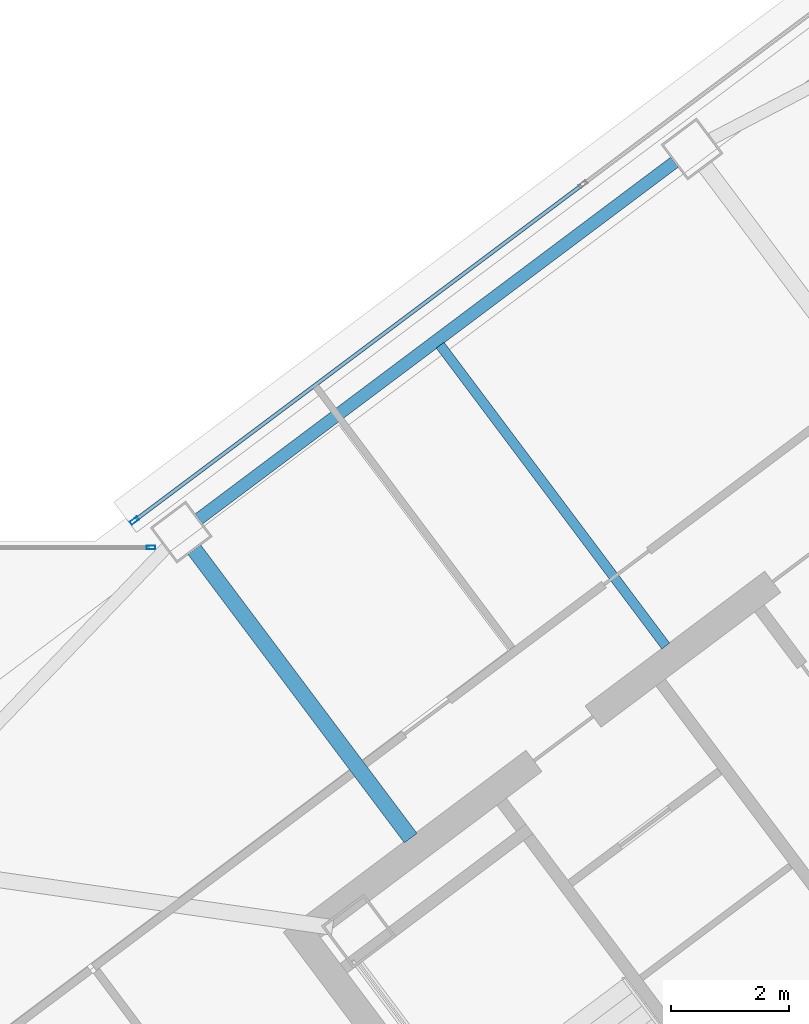
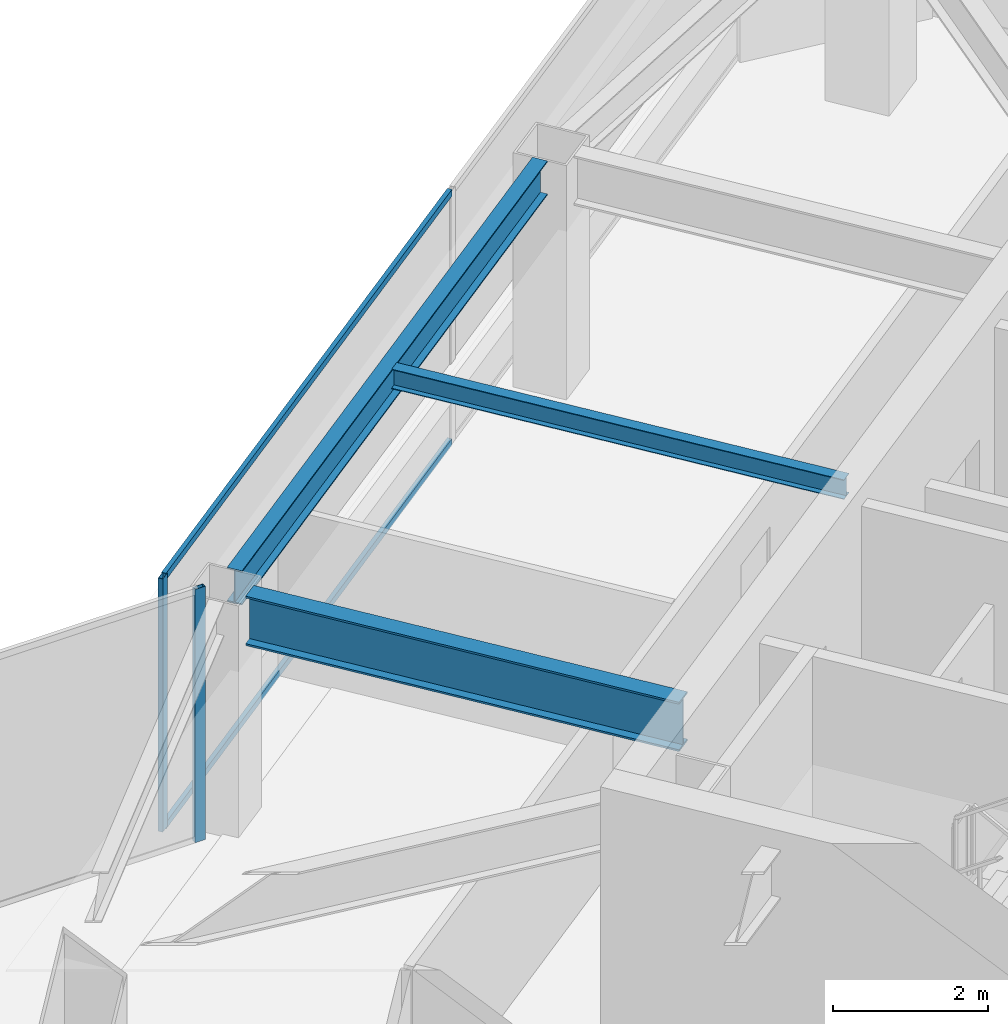
# One storey, part 33 of 51: 4 members, 3 beams, 2 elements without a shape of their own.
"""IFC4 building model written with IfcOpenShell, lengths in metres."""

import ifcopenshell
import ifcopenshell.guid

model = None  # the IFC model being written
_history = None  # IfcOwnerHistory: only IFC2X3 demands one
_inside = {}  # id of a spatial element -> (the spatial element, [elements in it])
_under = {}  # id of a project, library or spatial element -> (it, [spatial elements below it])
_declared = {}  # id of a project -> (the project, [libraries it declares])
_typed = {}  # id of a type object -> (the type object, [elements of that type])
_made_of = {}  # id of a material, layer set ... -> (it, [elements and type objects made of it])


def new_model(schema):
    """Start an empty IFC model of exactly this schema.

    Asked for "IFC4X3", IfcOpenShell would pick the latest addendum, in which some entities
    have other attributes; the version numbers below select the first issue.
    IFC2X3 requires an IfcOwnerHistory on every rooted entity: one is made here for all.
    """
    global model, _history
    if schema == "IFC4X3":
        model = ifcopenshell.file(schema_version=(4, 3, 0, 0))
    else:
        model = ifcopenshell.file(schema=schema)
    _inside.clear()
    _under.clear()
    _declared.clear()
    _typed.clear()
    _made_of.clear()
    _history = None
    if model.schema == "IFC2X3":
        org = make("IfcOrganization", Name="unknown")
        user = make(
            "IfcPersonAndOrganization",
            ThePerson=make("IfcPerson", FamilyName="unknown"),
            TheOrganization=org,
        )
        app = make(
            "IfcApplication",
            ApplicationDeveloper=org,
            Version="unknown",
            ApplicationFullName="unknown",
            ApplicationIdentifier="unknown",
        )
        _history = make(
            "IfcOwnerHistory",
            OwningUser=user,
            OwningApplication=app,
            ChangeAction="ADDED",
            CreationDate=0,
        )
    return model


def make(cls, **values):
    """One entity of the class cls with the attributes given. An attribute that is None is left unset."""
    return model.create_entity(
        cls, **{name: value for name, value in values.items() if value is not None}
    )


def rooted(cls, **values):
    """An entity with a GlobalId (a new one), such as an element, a storey or a relation."""
    return make(cls, GlobalId=ifcopenshell.guid.new(), OwnerHistory=_history, **values)


def si_unit(unit_type, name, prefix=None):
    """IfcSIUnit, for example si_unit("LENGTHUNIT", "METRE", prefix="MILLI")."""
    return make("IfcSIUnit", UnitType=unit_type, Prefix=prefix, Name=name)


def assignment(units):
    """IfcUnitAssignment: the units of a project."""
    return None if units is None else make("IfcUnitAssignment", Units=units)


def point(xyz):
    """IfcCartesianPoint."""
    return None if xyz is None else make("IfcCartesianPoint", Coordinates=xyz)


def direction(xyz):
    """IfcDirection."""
    return None if xyz is None else make("IfcDirection", DirectionRatios=xyz)


def frame(location, z_axis=None, x_axis=None):
    """IfcAxis2Placement3D, a coordinate frame: its origin and axes. An axis left out is left unset."""
    return make(
        "IfcAxis2Placement3D",
        Location=point(location),
        Axis=direction(z_axis),
        RefDirection=direction(x_axis),
    )


def frame_2d(location, x_axis=None):
    """IfcAxis2Placement2D, a coordinate frame in the plane: its origin and x axis."""
    return make(
        "IfcAxis2Placement2D", Location=point(location), RefDirection=direction(x_axis)
    )


def origin():
    """The frame at (0, 0, 0) with its axes left unset."""
    return frame((0.0, 0.0, 0.0))


def origin_2d():
    """The frame at (0, 0) in the plane with its x axis left unset."""
    return frame_2d((0.0, 0.0))


def place(relative_to, where):
    """IfcLocalPlacement: puts the frame where relative to a parent placement (None: the world)."""
    return make(
        "IfcLocalPlacement", PlacementRelTo=relative_to, RelativePlacement=where
    )


def context(
    kind, dimensions, precision=None, world=None, true_north=None, identifier=None
):
    """IfcGeometricRepresentationContext, for example the 3D "Model" context."""
    return make(
        "IfcGeometricRepresentationContext",
        ContextIdentifier=identifier,
        ContextType=kind,
        CoordinateSpaceDimension=dimensions,
        Precision=precision,
        WorldCoordinateSystem=world,
        TrueNorth=true_north,
    )


def subcontext(parent, identifier, kind, view, scale=None):
    """IfcGeometricRepresentationSubContext, for example "Body" below "Model"."""
    return make(
        "IfcGeometricRepresentationSubContext",
        ContextIdentifier=identifier,
        ContextType=kind,
        ParentContext=parent,
        TargetScale=scale,
        TargetView=view,
    )


def project(units=None, contexts=None):
    """IfcProject with its units and contexts."""
    return rooted(
        "IfcProject",
        Name="project",
        RepresentationContexts=contexts,
        UnitsInContext=assignment(units),
    )


def spatial(cls, under=None, at=None, **own):
    """A site, building, storey or space (cls), placed at a placement, below another one or the project."""
    s = rooted(cls, ObjectPlacement=at, **own)
    if under is not None:
        _under.setdefault(under.id(), (under, []))[1].append(s)
    return s


def profile(cls, at=None, kind="AREA", **sizes):
    """A parametric profile (cls). Its sizes go by their IFC names, for example OverallWidth=200.0."""
    return make(cls, ProfileType=kind, Position=at, **sizes)


def hollow_rectangle(**sizes):
    """IfcRectangleHollowProfileDef."""
    return profile("IfcRectangleHollowProfileDef", **sizes)


def i_section(**sizes):
    """IfcIShapeProfileDef."""
    return profile("IfcIShapeProfileDef", **sizes)


def extrude(swept, where, along, depth):
    """IfcExtrudedAreaSolid: the profile swept, set in the frame where, extruded along a direction by depth."""
    return make(
        "IfcExtrudedAreaSolid",
        SweptArea=swept,
        Position=where,
        ExtrudedDirection=direction(along),
        Depth=depth,
    )


def shape(context_of_items, identifier, shape_type, items):
    """IfcShapeRepresentation: the items that make up one representation, for example the "Body"."""
    return make(
        "IfcShapeRepresentation",
        ContextOfItems=context_of_items,
        RepresentationIdentifier=identifier,
        RepresentationType=shape_type,
        Items=items,
    )


def material(Name=None, Category=None):
    """IfcMaterial."""
    return make("IfcMaterial", Name=Name, Category=Category)


def material_profile(
    of_material, cross_section, Name=None, Category=None, Priority=None
):
    """IfcMaterialProfile: a cross section and its material."""
    return make(
        "IfcMaterialProfile",
        Name=Name,
        Material=of_material,
        Profile=cross_section,
        Priority=Priority,
        Category=Category,
    )


def profile_set(profiles, Name=None, composite=None):
    """IfcMaterialProfileSet."""
    return make(
        "IfcMaterialProfileSet",
        Name=Name,
        MaterialProfiles=profiles,
        CompositeProfile=composite,
    )


def made_of(thing, what):
    """Note that an element or type object is made of a material, layer set ...; save() writes the relation."""
    if what is not None:
        _made_of.setdefault(what.id(), (what, []))[1].append(thing)
    return thing


def type_object(cls, material=None, **own):
    """A type object (cls), such as IfcWallType, which elements share."""
    return made_of(rooted(cls, **own), material)


def element(
    cls,
    number,
    at=None,
    inside=None,
    cuts=None,
    type_object=None,
    material=None,
    context=None,
    identifier="Body",
    shape_type=None,
    held_by="IfcProductDefinitionShape",
    body=None,
    shapes=None,
    **own,
):
    """One element of the class cls, such as IfcWall. Its Tag is "e" and its number.

    at: its placement. inside: the storey or other place that contains it. cuts: it is an
    opening in that element (IfcRelVoidsElement). A single representation is given by context,
    identifier, shape_type and body (its items); several are given by shapes. held_by: the class
    of the entity that holds the representations. save() writes the other relations.
    """
    e = rooted(cls, Tag="e%d" % number, ObjectPlacement=at, **own)
    if body is not None:
        shapes = [shape(context, identifier, shape_type, body)]
    if shapes is not None:
        e.Representation = make(held_by, Representations=shapes)
    if inside is not None:
        _inside.setdefault(inside.id(), (inside, []))[1].append(e)
    if cuts is not None:
        rooted(
            "IfcRelVoidsElement", RelatingBuildingElement=cuts, RelatedOpeningElement=e
        )
    if type_object is not None:
        _typed.setdefault(type_object.id(), (type_object, []))[1].append(e)
    return made_of(e, material)


def aggregate(whole, parts):
    """IfcRelAggregates: a whole, such as a stair, and the parts it consists of."""
    return rooted("IfcRelAggregates", RelatingObject=whole, RelatedObjects=parts)


def save(model, path):
    """Write the relations noted so far, then the file.

    IfcRelAggregates (storeys below a building ...), IfcRelContainedInSpatialStructure (elements
    in a storey), IfcRelDefinesByType, IfcRelAssociatesMaterial and IfcRelDeclares: one each for
    every whole, place, type object, material and project.
    """
    for whole, parts in _under.values():
        aggregate(whole, parts)
    for where, things in _inside.values():
        rooted(
            "IfcRelContainedInSpatialStructure",
            RelatedElements=things,
            RelatingStructure=where,
        )
    for kind, things in _typed.values():
        rooted("IfcRelDefinesByType", RelatedObjects=things, RelatingType=kind)
    for what, things in _made_of.values():
        rooted("IfcRelAssociatesMaterial", RelatedObjects=things, RelatingMaterial=what)
    for by, libraries in _declared.values():
        rooted("IfcRelDeclares", RelatingContext=by, RelatedDefinitions=libraries)
    model.write(path)


model = new_model("IFC4")

# Units and contexts
model_context = context("Model", 3, precision=1e-05, world=origin(), true_north=direction((0.0, 1.0)))
body_context = subcontext(model_context, "Body", "Model", "MODEL_VIEW")
ifc_project = project(units=[si_unit("LENGTHUNIT", "METRE"), si_unit("AREAUNIT", "SQUARE_METRE"), si_unit("VOLUMEUNIT", "CUBIC_METRE"), si_unit("PLANEANGLEUNIT", "RADIAN"), si_unit("MASSUNIT", "GRAM", prefix="KILO")], contexts=[model_context])

# Site, building, storey
site_placement = place(None, origin())
site = spatial("IfcSite", under=ifc_project, at=site_placement, CompositionType="ELEMENT")
building_placement = place(site_placement, origin())
building = spatial("IfcBuilding", under=site, at=building_placement, Name="Tashvorn Skyway Center", CompositionType="ELEMENT")
storey_placement = place(building_placement, frame((0.0, 0.0, 259.39990234375)))
storey = spatial("IfcBuildingStorey", under=building, at=storey_placement, Name="L70", CompositionType="ELEMENT", Elevation=259.39990234375)

# Beams
ifc_material_1 = material(Name="Steel ASTM A992 Grade 50", Category="steel")
ifc_material_profile_1 = material_profile(ifc_material_1, i_section(OverallWidth=0.26708984375, OverallDepth=0.779052734375, WebThickness=0.0166015625, FlangeThickness=0.030029296875, at=origin_2d()), Name="W30X148")
ifc_profile_set_1 = profile_set([ifc_material_profile_1], Name="Steel ASTM A992 Grade 50")
beam_type_1 = type_object("IfcBeamType", Name="BM-BEAM-W30X148", PredefinedType="BEAM", material=ifc_profile_set_1)
beam_1_placement = place(storey_placement, frame((101.35205078125, 39.864013671875, 3.310546875), z_axis=(0.599980788915, -0.800014407953, 0.0), x_axis=(0.800014407953, 0.599980788915, 0.0)))
element("IfcBeam", 1, at=beam_1_placement, inside=storey, type_object=beam_type_1, Name="Tower 2 L70 Primary Floor Girder FC-N2", PredefinedType="BEAM", context=body_context, shape_type="SweptSolid", body=[
    extrude(i_section(OverallWidth=0.26708984375, OverallDepth=0.779052734375, WebThickness=0.0166015625, FlangeThickness=0.030029296875, at=origin_2d()), origin(), (0.0, 0.0, 1.0), 6.10009765625),
])
ifc_material_profile_2 = material_profile(ifc_material_1, i_section(OverallWidth=0.1650390625, OverallDepth=0.31005859375, WebThickness=0.005859375, FlangeThickness=0.009765625, at=origin_2d()), Name="W12X26")
ifc_profile_set_2 = profile_set([ifc_material_profile_2], Name="Steel ASTM A992 Grade 50")
beam_type_2 = type_object("IfcBeamType", Name="BM-JOIST-W12X26", PredefinedType="JOIST", material=ifc_profile_set_2)
beam_2_placement = place(storey_placement, frame((109.325927734375, 38.23193359375, 3.545166015625), z_axis=(-0.599981581373, 0.800013813639, 0.0), x_axis=(-0.800013813639, -0.599981581373, 0.0)))
element("IfcBeam", 2, at=beam_2_placement, inside=storey, type_object=beam_type_2, Name="Tower 2 L70 Secondary Composite Joist JN", PredefinedType="JOIST", context=body_context, shape_type="SweptSolid", body=[
    extrude(i_section(OverallWidth=0.1650390625, OverallDepth=0.31005859375, WebThickness=0.005859375, FlangeThickness=0.009765625, at=origin_2d()), origin(), (0.0, 0.0, 1.0), 6.362548828125),
])
ifc_material_profile_3 = material_profile(ifc_material_1, i_section(OverallWidth=0.2109375, OverallDepth=0.5390625, WebThickness=0.01171875, FlangeThickness=0.018798828125, at=origin_2d()), Name="W21X73")
ifc_profile_set_3 = profile_set([ifc_material_profile_3], Name="Steel ASTM A992 Grade 50")
beam_type_3 = type_object("IfcBeamType", Name="BM-SPANDREL-W21X73", PredefinedType="SPANDREL", material=ifc_profile_set_3)
beam_3_placement = place(storey_placement, frame((109.47412109375, 46.41796875, 3.4306640625), z_axis=(-0.800008736549, -0.599988351091, 0.0), x_axis=(0.599988351091, -0.800008736549, 0.0)))
element("IfcBeam", 3, at=beam_3_placement, inside=storey, type_object=beam_type_3, Name="Tower 2 L70 Spandrel Beam 08", PredefinedType="SPANDREL", context=body_context, shape_type="SweptSolid", body=[
    extrude(i_section(OverallWidth=0.2109375, OverallDepth=0.5390625, WebThickness=0.01171875, FlangeThickness=0.018798828125, at=origin_2d()), origin(), (0.0, 0.0, 1.0), 10.06005859375),
])

# Curtain wall, member
ifc_material_2 = material(Name="Thermally broken bronze-anodized aluminium 6063-T6", Category="aluminium")
curtain_wall_type = type_object("IfcCurtainWallType", Name="CW-CW-SKY", PredefinedType="NOTDEFINED", material=ifc_material_2)
curtain_wall_1_placement = place(storey_placement, origin())
curtain_wall_1 = element("IfcCurtainWall", 4, at=curtain_wall_1_placement, inside=storey, type_object=curtain_wall_type, Name="Tower 2 L70 North Curtain Wall B", PredefinedType="NOTDEFINED")
ifc_material_profile_4 = material_profile(ifc_material_2, hollow_rectangle(XDim=0.06494140625, YDim=0.14990234375, WallThickness=0.00390625, at=origin_2d()), Name="ALU-MULL-65x150")
ifc_profile_set_4 = profile_set([ifc_material_profile_4], Name="Thermally broken bronze-anodized aluminium 6063-T6")
member_type_1 = type_object("IfcMemberType", Name="CWM-CW-SKY", PredefinedType="MULLION", material=ifc_profile_set_4)
member_1_placement = place(storey_placement, frame((100.337890625, 40.353515625, 0.0), z_axis=(0.0, 0.0, 1.0), x_axis=(-0.600000000002, 0.799999999998, 0.0)))
member_1 = element("IfcMember", 5, at=member_1_placement, type_object=member_type_1, Name="CW-SKY mullion 1", PredefinedType="MULLION", context=body_context, shape_type="SweptSolid", body=[
    extrude(hollow_rectangle(XDim=0.06494140625, YDim=0.14990234375, WallThickness=0.00390625, at=origin_2d()), origin(), (0.0, 0.0, 1.0), 4.0),
])

curtain_wall_2_placement = place(storey_placement, origin())
curtain_wall_2 = element("IfcCurtainWall", 6, at=curtain_wall_2_placement, inside=storey, type_object=curtain_wall_type, Name="Tower 2 L70 Vestibule North Curtain Wall", PredefinedType="NOTDEFINED")
member_2_placement = place(storey_placement, frame((100.617431640625, 39.89990234375, 0.0), z_axis=(0.0, 0.0, 1.0), x_axis=(0.0, 1.0, 0.0)))
member_2 = element("IfcMember", 7, at=member_2_placement, type_object=member_type_1, Name="CW-SKY mullion 2", PredefinedType="MULLION", context=body_context, shape_type="SweptSolid", body=[
    extrude(hollow_rectangle(XDim=0.06494140625, YDim=0.14990234375, WallThickness=0.00390625, at=origin_2d()), origin(), (0.0, 0.0, 1.0), 4.0),
])
aggregate(curtain_wall_2, [member_2])

# Member
ifc_material_profile_5 = material_profile(ifc_material_2, hollow_rectangle(XDim=0.06494140625, YDim=0.10498046875, WallThickness=0.00390625, at=origin_2d()), Name="ALU-TRAN-65x105")
ifc_profile_set_5 = profile_set([ifc_material_profile_5], Name="Thermally broken bronze-anodized aluminium 6063-T6")
member_type_2 = type_object("IfcMemberType", Name="CWT-CW-SKY", PredefinedType="USERDEFINED", material=ifc_profile_set_5)
member_3_placement = place(storey_placement, frame((100.364013671875, 40.373046875, 0.03271484375), z_axis=(0.800003110925, 0.599995852077, 0.0), x_axis=(-0.599995852077, 0.800003110925, 0.0)))
member_3 = element("IfcMember", 8, at=member_3_placement, type_object=member_type_2, Name="CW-SKY transom 1.1", ObjectType="TRANSOM", PredefinedType="USERDEFINED", context=body_context, shape_type="SweptSolid", body=[
    extrude(hollow_rectangle(XDim=0.06494140625, YDim=0.10498046875, WallThickness=0.00390625, at=origin_2d()), origin(), (0.0, 0.0, 1.0), 9.41748046875),
])

member_4_placement = place(storey_placement, frame((100.364013671875, 40.373046875, 3.967529296875), z_axis=(0.800003110925, 0.599995852077, 0.0), x_axis=(-0.599995852077, 0.800003110925, 0.0)))
member_4 = element("IfcMember", 9, at=member_4_placement, type_object=member_type_2, Name="CW-SKY transom 1.2", ObjectType="TRANSOM", PredefinedType="USERDEFINED", context=body_context, shape_type="SweptSolid", body=[
    extrude(hollow_rectangle(XDim=0.06494140625, YDim=0.10498046875, WallThickness=0.00390625, at=origin_2d()), origin(), (0.0, 0.0, 1.0), 9.41748046875),
])

aggregate(curtain_wall_1, [member_1, member_3, member_4])

save(model, "model.ifc")
